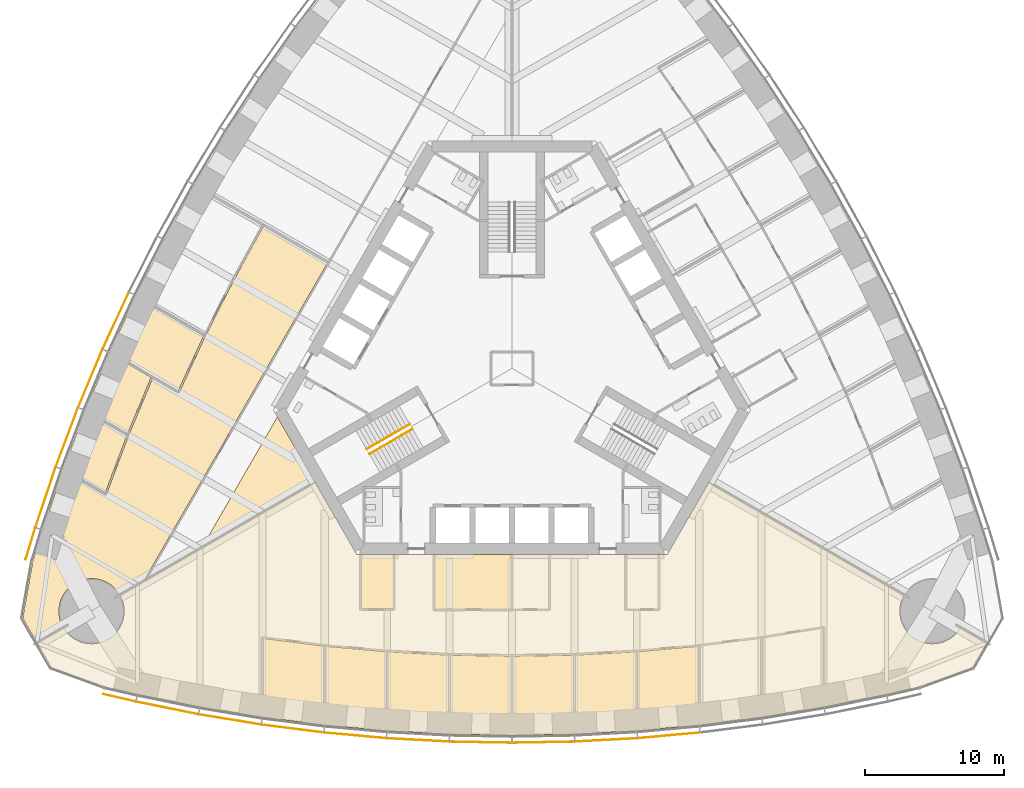
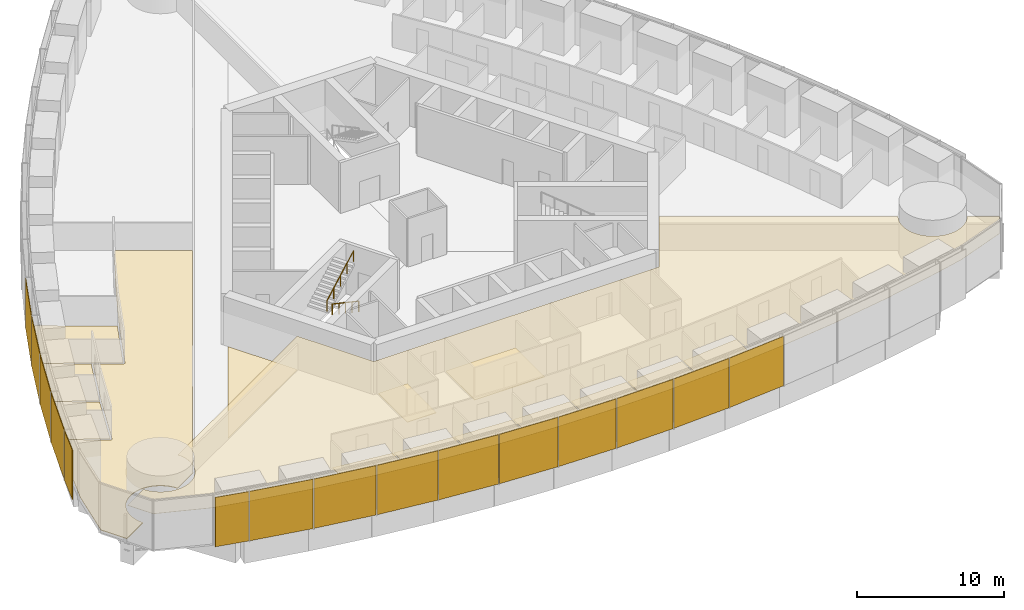
# One storey, part 16 of 20: 15 coverings, 15 shading devices, 2 railings.
"""IFC4 building model written with IfcOpenShell, lengths in metres."""

from ifc_helpers import new_model, si_unit, direction, frame, origin, origin_2d, place, context, subcontext, project, spatial, polyline, rectangle, circle, outline, extrude, material, layer, layer_set, type_object, element, save


model = new_model("IFC4")

# Units and contexts
model_context = context("Model", 3, precision=1e-05, world=origin(), true_north=direction((0.0, 1.0)))
body_context = subcontext(model_context, "Body", "Model", "MODEL_VIEW")
ifc_project = project(units=[si_unit("LENGTHUNIT", "METRE"), si_unit("AREAUNIT", "SQUARE_METRE"), si_unit("VOLUMEUNIT", "CUBIC_METRE"), si_unit("PLANEANGLEUNIT", "RADIAN"), si_unit("MASSUNIT", "GRAM", prefix="KILO")], contexts=[model_context])

# Site, building, storey
site_placement = place(None, origin())
site = spatial("IfcSite", under=ifc_project, at=site_placement, CompositionType="ELEMENT")
building_placement = place(site_placement, origin())
building = spatial("IfcBuilding", under=site, at=building_placement, Name="Trefoil Bronze Tower", CompositionType="ELEMENT")
storey_placement = place(building_placement, frame((0.0, 0.0, 103.10009765625)))
storey = spatial("IfcBuildingStorey", under=building, at=storey_placement, Name="L23", CompositionType="ELEMENT", Elevation=103.10009765625)

# Shading devices
ifc_material_1 = material(Name="Perforated bronze sheet", Category="bronze")
ifc_layer_1 = layer(ifc_material_1, 0.0400390625)
ifc_layer_set_1 = layer_set([ifc_layer_1], Name="Bronze solar screen panel")
shading_device_type = type_object("IfcShadingDeviceType", Name="Bronze solar screen panel", PredefinedType="SHUTTER", material=ifc_layer_set_1)
shading_device_1_placement = place(storey_placement, frame((-28.30078125, -23.748779296875, 0.0498046875), z_axis=(0.0, 0.0, 1.0), x_axis=(0.97420444715, -0.225667222151, 0.0)))
element("IfcShadingDevice", 1, at=shading_device_1_placement, inside=storey, type_object=shading_device_type, Name="Solar screen CW-A L23 F1 bay 1", PredefinedType="SHUTTER", context=body_context, shape_type="SweptSolid", body=[
    extrude(rectangle(XDim=2.39013671875, YDim=0.0400390625, at=origin_2d()), origin(), (0.0, 0.0, 1.0), 4.10009765625),
])
shading_device_2_placement = place(storey_placement, frame((-24.85693359375, -24.480224609375, 0.0498046875), z_axis=(0.0, 0.0, 1.0), x_axis=(0.980155155547, -0.198231861853, 0.0)))
element("IfcShadingDevice", 2, at=shading_device_2_placement, inside=storey, type_object=shading_device_type, Name="Solar screen CW-A L23 F1 bay 2", PredefinedType="SHUTTER", context=body_context, shape_type="SweptSolid", body=[
    extrude(rectangle(XDim=4.56103515625, YDim=0.0400390625, at=origin_2d()), origin(), (0.0, 0.0, 1.0), 4.10009765625),
])
shading_device_3_placement = place(storey_placement, frame((-20.337646484375, -25.30859375, 0.0498046875), z_axis=(0.0, 0.0, 1.0), x_axis=(0.986759655731, -0.162189339418, 0.0)))
element("IfcShadingDevice", 3, at=shading_device_3_placement, inside=storey, type_object=shading_device_type, Name="Solar screen CW-A L23 F1 bay 3", PredefinedType="SHUTTER", context=body_context, shape_type="SweptSolid", body=[
    extrude(rectangle(XDim=4.5302734375, YDim=0.0400390625, at=origin_2d()), origin(), (0.0, 0.0, 1.0), 4.10009765625),
])
shading_device_4_placement = place(storey_placement, frame((-15.818115234375, -25.96728515625, 0.0498046875), z_axis=(0.0, 0.0, 1.0), x_axis=(0.992011554286, -0.126147041833, 0.0)))
element("IfcShadingDevice", 4, at=shading_device_4_placement, inside=storey, type_object=shading_device_type, Name="Solar screen CW-A L23 F1 bay 4", PredefinedType="SHUTTER", context=body_context, shape_type="SweptSolid", body=[
    extrude(rectangle(XDim=4.50634765625, YDim=0.0400390625, at=origin_2d()), origin(), (0.0, 0.0, 1.0), 4.10009765625),
])
shading_device_5_placement = place(storey_placement, frame((-11.298583984375, -26.459228515625, 0.0498046875), z_axis=(0.0, 0.0, 1.0), x_axis=(0.995932279146, -0.090104913044, 0.0)))
element("IfcShadingDevice", 5, at=shading_device_5_placement, inside=storey, type_object=shading_device_type, Name="Solar screen CW-A L23 F1 bay 5", PredefinedType="SHUTTER", context=body_context, shape_type="SweptSolid", body=[
    extrude(rectangle(XDim=4.48828125, YDim=0.0400390625, at=origin_2d()), origin(), (0.0, 0.0, 1.0), 4.10009765625),
])
shading_device_6_placement = place(storey_placement, frame((-6.779296875, -26.785888671875, 0.0498046875), z_axis=(0.0, 0.0, 1.0), x_axis=(0.998537531923, -0.054062901701, 0.0)))
element("IfcShadingDevice", 6, at=shading_device_6_placement, inside=storey, type_object=shading_device_type, Name="Solar screen CW-A L23 F1 bay 6", PredefinedType="SHUTTER", context=body_context, shape_type="SweptSolid", body=[
    extrude(rectangle(XDim=4.4765625, YDim=0.0400390625, at=origin_2d()), origin(), (0.0, 0.0, 1.0), 4.10009765625),
])
for number, where, z_axis, x_axis, name in (
    (7, (-2.259765625, -26.948974609375, 0.0498046875), (0.0, 0.0, 1.0), (0.999837609322, -0.018020959612, 0.0), "Solar screen CW-A L23 F1 bay 7"),
    (8, (2.259765625, -26.948974609375, 0.0498046875), (0.0, 0.0, 1.0), (0.999837609322, 0.018020959612, 0.0), "Solar screen CW-A L23 F1 bay 8"),
):
    element("IfcShadingDevice", number, at=place(storey_placement, frame(where, z_axis=z_axis, x_axis=x_axis)), inside=storey, type_object=shading_device_type, Name=name, PredefinedType="SHUTTER", context=body_context, shape_type="SweptSolid", body=[
        extrude(rectangle(XDim=4.470703125, YDim=0.0400390625, at=origin_2d()), origin(), (0.0, 0.0, 1.0), 4.10009765625),
    ])
shading_device_7_placement = place(storey_placement, frame((6.779296875, -26.785888671875, 0.0498046875), z_axis=(0.0, 0.0, 1.0), x_axis=(0.998537531923, 0.054062901701, 0.0)))
element("IfcShadingDevice", 9, at=shading_device_7_placement, inside=storey, type_object=shading_device_type, Name="Solar screen CW-A L23 F1 bay 9", PredefinedType="SHUTTER", context=body_context, shape_type="SweptSolid", body=[
    extrude(rectangle(XDim=4.4765625, YDim=0.0400390625, at=origin_2d()), origin(), (0.0, 0.0, 1.0), 4.10009765625),
])
for number, where, z_axis, x_axis, name in (
    (10, (11.298583984375, -26.459228515625, 0.0498046875), (0.0, 0.0, 1.0), (0.995932279146, 0.090104913044, 0.0), "Solar screen CW-A L23 F1 bay 10"),
    (11, (-28.563720703125, 3.444580078125, 0.0498046875), (0.0, 0.0, 1.0), (-0.419932995871, -0.907555110712, 0.0), "Solar screen CW-A L23 F3 bay 10"),
):
    element("IfcShadingDevice", number, at=place(storey_placement, frame(where, z_axis=z_axis, x_axis=x_axis)), inside=storey, type_object=shading_device_type, Name=name, PredefinedType="SHUTTER", context=body_context, shape_type="SweptSolid", body=[
        extrude(rectangle(XDim=4.48828125, YDim=0.0400390625, at=origin_2d()), origin(), (0.0, 0.0, 1.0), 4.10009765625),
    ])
shading_device_8_placement = place(storey_placement, frame((-30.3974609375, -0.715087890625, 0.0498046875), z_axis=(0.0, 0.0, 1.0), x_axis=(-0.386759234303, -0.922180727776, 0.0)))
element("IfcShadingDevice", 12, at=shading_device_8_placement, inside=storey, type_object=shading_device_type, Name="Solar screen CW-A L23 F3 bay 11", PredefinedType="SHUTTER", context=body_context, shape_type="SweptSolid", body=[
    extrude(rectangle(XDim=4.50634765625, YDim=0.0400390625, at=origin_2d()), origin(), (0.0, 0.0, 1.0), 4.10009765625),
])
shading_device_9_placement = place(storey_placement, frame((-32.086669921875, -4.95849609375, 0.0498046875), z_axis=(0.0, 0.0, 1.0), x_axis=(-0.352919739707, -0.935653599002, 0.0)))
element("IfcShadingDevice", 13, at=shading_device_9_placement, inside=storey, type_object=shading_device_type, Name="Solar screen CW-A L23 F3 bay 12", PredefinedType="SHUTTER", context=body_context, shape_type="SweptSolid", body=[
    extrude(rectangle(XDim=4.5302734375, YDim=0.0400390625, at=origin_2d()), origin(), (0.0, 0.0, 1.0), 4.10009765625),
])
shading_device_10_placement = place(storey_placement, frame((-33.62890625, -9.286865234375, 0.0498046875), z_axis=(0.0, 0.0, 1.0), x_axis=(-0.318403749569, -0.947955195281, 0.0)))
element("IfcShadingDevice", 14, at=shading_device_10_placement, inside=storey, type_object=shading_device_type, Name="Solar screen CW-A L23 F3 bay 13", PredefinedType="SHUTTER", context=body_context, shape_type="SweptSolid", body=[
    extrude(rectangle(XDim=4.56103515625, YDim=0.0400390625, at=origin_2d()), origin(), (0.0, 0.0, 1.0), 4.10009765625),
])
shading_device_11_placement = place(storey_placement, frame((-34.717529296875, -12.634765625, 0.0498046875), z_axis=(0.0, 0.0, 1.0), x_axis=(-0.291668676391, -0.956519410787, 0.0)))
element("IfcShadingDevice", 15, at=shading_device_11_placement, inside=storey, type_object=shading_device_type, Name="Solar screen CW-A L23 F3 bay 14", PredefinedType="SHUTTER", context=body_context, shape_type="SweptSolid", body=[
    extrude(rectangle(XDim=2.39013671875, YDim=0.0400390625, at=origin_2d()), origin(), (0.0, 0.0, 1.0), 4.10009765625),
])

# Railings
ifc_material_2 = material(Name="Steel handrail", Category="steel")
railing_type = type_object("IfcRailingType", Name="Handrail 900", PredefinedType="HANDRAIL", material=ifc_material_2)
railing_1_placement = place(storey_placement, frame((-7.166015625, -4.3681640625, 0.161376953125)))
element("IfcRailing", 16, at=railing_1_placement, inside=storey, type_object=railing_type, Name="Handrail ST3 flight 1 L23", PredefinedType="HANDRAIL", context=body_context, shape_type="SweptSolid", body=[
    extrude(circle(Radius=0.02392578125, at=origin_2d()), frame((0.0, 0.0, 0.8759765625), z_axis=(-0.76250339821, -0.440245697338, 0.474101564745), x_axis=(0.500012057535, -0.866018442252, 0.0)), (0.0, 0.0, 1.0), 4.088623046875),
    extrude(circle(Radius=0.02099609375, at=origin_2d()), origin(), (0.0, 0.0, 1.0), 0.851806640625),
    extrude(circle(Radius=0.02099609375, at=origin_2d()), frame((-0.779296875, -0.449951171875, 0.484619140625)), (0.0, 0.0, 1.0), 0.851806640625),
    extrude(circle(Radius=0.02099609375, at=origin_2d()), frame((-1.558837890625, -0.89990234375, 0.96923828125)), (0.0, 0.0, 1.0), 0.851806640625),
    extrude(circle(Radius=0.02099609375, at=origin_2d()), frame((-2.33837890625, -1.35009765625, 1.453857421875)), (0.0, 0.0, 1.0), 0.851806640625),
    extrude(circle(Radius=0.02099609375, at=origin_2d()), frame((-3.11767578125, -1.800048828125, 1.9384765625)), (0.0, 0.0, 1.0), 0.851806640625),
])
railing_2_placement = place(storey_placement, frame((-10.483642578125, -5.82177734375, 2.261474609375)))
element("IfcRailing", 17, at=railing_2_placement, inside=storey, type_object=railing_type, Name="Handrail ST3 flight 2 L23", PredefinedType="HANDRAIL", context=body_context, shape_type="SweptSolid", body=[
    extrude(circle(Radius=0.02392578125, at=origin_2d()), frame((0.0, 0.0, 0.8759765625), z_axis=(0.76250339821, 0.440245697338, 0.474101564745), x_axis=(-0.500012057535, 0.866018442252, 0.0)), (0.0, 0.0, 1.0), 4.088623046875),
    extrude(circle(Radius=0.02099609375, at=origin_2d()), origin(), (0.0, 0.0, 1.0), 0.851806640625),
    extrude(circle(Radius=0.02099609375, at=origin_2d()), frame((0.779296875, 0.449951171875, 0.484619140625)), (0.0, 0.0, 1.0), 0.851806640625),
    extrude(circle(Radius=0.02099609375, at=origin_2d()), frame((1.558837890625, 0.89990234375, 0.96923828125)), (0.0, 0.0, 1.0), 0.851806640625),
    extrude(circle(Radius=0.02099609375, at=origin_2d()), frame((2.33837890625, 1.35009765625, 1.453857421875)), (0.0, 0.0, 1.0), 0.851806640625),
    extrude(circle(Radius=0.02099609375, at=origin_2d()), frame((3.11767578125, 1.800048828125, 1.9384765625)), (0.0, 0.0, 1.0), 0.851806640625),
])

# Coverings
ifc_material_3 = material(Name="Acoustic ceiling panels", Category="mineral fibre")
ifc_layer_2 = layer(ifc_material_3, 0.02001953125)
ifc_layer_set_2 = layer_set([ifc_layer_2], Name="Office ceiling 20")
covering_type_1 = type_object("IfcCoveringType", Name="Office ceiling 20", PredefinedType="CEILING", material=ifc_layer_set_2)
covering_1_placement = place(storey_placement, frame((0.0, 0.0, 2.89990234375)))
element("IfcCovering", 18, at=covering_1_placement, inside=storey, type_object=covering_type_1, Name="Ceiling L23 Secretarial area F1", PredefinedType="CEILING", context=body_context, shape_type="SweptSolid", body=[
    extrude(outline(polyline([(-32.264892578125, -18.8056640625), (-32.198486328125, -18.89990234375), (-32.12744140625, -18.99072265625), (-32.052001953125, -19.078125), (-31.97265625, -19.16162109375), (-31.88916015625, -19.2412109375), (-31.8017578125, -19.316650390625), (-31.710693359375, -19.387451171875), (-31.616455078125, -19.4541015625), (-31.51904296875, -19.515625), (-31.418701171875, -19.572509765625), (-31.315673828125, -19.62451171875), (-31.210205078125, -19.671142578125), (-31.1025390625, -19.712646484375), (-30.9931640625, -19.748779296875), (-30.8818359375, -19.779541015625), (-30.769287109375, -19.8046875), (-30.65576171875, -19.82470703125), (-30.541259765625, -19.838623046875), (-30.42626953125, -19.84716796875), (-30.310791015625, -19.85009765625), (-30.195556640625, -19.84716796875), (-30.08056640625, -19.838623046875), (-29.966064453125, -19.82470703125), (-29.852294921875, -19.8046875), (-29.739990234375, -19.779541015625), (-29.628662109375, -19.748779296875), (-29.519287109375, -19.712646484375), (-29.41162109375, -19.671142578125), (-29.30615234375, -19.62451171875), (-29.203125, -19.572509765625), (-29.102783203125, -19.515625), (-29.00537109375, -19.4541015625), (-28.910888671875, -19.387451171875), (-28.820068359375, -19.316650390625), (-28.732666015625, -19.2412109375), (-28.649169921875, -19.16162109375), (-28.569580078125, -19.078125), (-28.494384765625, -18.99072265625), (-28.42333984375, -18.89990234375), (-28.35693359375, -18.8056640625), (-28.295166015625, -18.7080078125), (-28.23828125, -18.60791015625), (-28.1865234375, -18.5048828125), (-28.139892578125, -18.3994140625), (-28.098388671875, -18.291748046875), (-28.06201171875, -18.18212890625), (-28.03125, -18.071044921875), (-28.006103515625, -17.95849609375), (-27.986328125, -17.8447265625), (-27.97216796875, -17.730224609375), (-27.963623046875, -17.615234375), (-27.9609375, -17.5), (-27.963623046875, -17.384765625), (-27.97216796875, -17.269775390625), (-27.986328125, -17.1552734375), (-28.006103515625, -17.04150390625), (-28.03125, -16.928955078125), (-28.06201171875, -16.81787109375), (-28.098388671875, -16.708251953125), (-28.139892578125, -16.6005859375), (-28.1865234375, -16.4951171875), (-28.23828125, -16.39208984375), (-28.270263671875, -16.3359375), (-14.19970703125, -8.205322265625), (-11.20068359375, -13.39990234375), (11.20068359375, -13.39990234375), (14.19970703125, -8.205322265625), (28.270263671875, -16.3359375), (28.23828125, -16.39208984375), (28.1865234375, -16.4951171875), (28.139892578125, -16.6005859375), (28.098388671875, -16.708251953125), (28.06201171875, -16.81787109375), (28.03125, -16.928955078125), (28.006103515625, -17.04150390625), (27.986328125, -17.1552734375), (27.97216796875, -17.269775390625), (27.963623046875, -17.384765625), (27.9609375, -17.5), (27.963623046875, -17.615234375), (27.97216796875, -17.730224609375), (27.986328125, -17.8447265625), (28.006103515625, -17.95849609375), (28.03125, -18.071044921875), (28.06201171875, -18.18212890625), (28.098388671875, -18.291748046875), (28.139892578125, -18.3994140625), (28.1865234375, -18.5048828125), (28.23828125, -18.60791015625), (28.295166015625, -18.7080078125), (28.35693359375, -18.8056640625), (28.42333984375, -18.89990234375), (28.494384765625, -18.99072265625), (28.569580078125, -19.078125), (28.649169921875, -19.16162109375), (28.732666015625, -19.2412109375), (28.820068359375, -19.316650390625), (28.910888671875, -19.387451171875), (29.00537109375, -19.4541015625), (29.102783203125, -19.515625), (29.203125, -19.572509765625), (29.30615234375, -19.62451171875), (29.41162109375, -19.671142578125), (29.519287109375, -19.712646484375), (29.628662109375, -19.748779296875), (29.739990234375, -19.779541015625), (29.852294921875, -19.8046875), (29.966064453125, -19.82470703125), (30.08056640625, -19.838623046875), (30.195556640625, -19.84716796875), (30.310791015625, -19.85009765625), (30.42626953125, -19.84716796875), (30.541259765625, -19.838623046875), (30.65576171875, -19.82470703125), (30.769287109375, -19.8046875), (30.8818359375, -19.779541015625), (30.9931640625, -19.748779296875), (31.1025390625, -19.712646484375), (31.210205078125, -19.671142578125), (31.315673828125, -19.62451171875), (31.418701171875, -19.572509765625), (31.51904296875, -19.515625), (31.616455078125, -19.4541015625), (31.710693359375, -19.387451171875), (31.8017578125, -19.316650390625), (31.88916015625, -19.2412109375), (31.97265625, -19.16162109375), (32.052001953125, -19.078125), (32.12744140625, -18.99072265625), (32.198486328125, -18.89990234375), (32.264892578125, -18.8056640625), (32.338623046875, -18.68701171875), (34.233154296875, -19.781494140625), (33.21435546875, -21.5458984375), (29.357666015625, -22.94970703125), (27.0, -23.495849609375), (22.5, -24.406005859375), (18.0, -25.1455078125), (13.5, -25.7177734375), (9.0, -26.125), (4.5, -26.36865234375), (0.0, -26.44970703125), (-4.5, -26.36865234375), (-9.0, -26.125), (-13.5, -25.7177734375), (-18.0, -25.1455078125), (-22.5, -24.406005859375), (-27.0, -23.495849609375), (-29.357666015625, -22.94970703125), (-33.21435546875, -21.5458984375), (-34.233154296875, -19.781494140625), (-32.338623046875, -18.68701171875), (-32.264892578125, -18.8056640625)])), origin(), (0.0, 0.0, 1.0), 0.02001953125),
])
ifc_material_4 = material(Name="Raised access floor panels", Category="steel")
ifc_layer_3 = layer(ifc_material_4, 0.050048828125)
ifc_layer_set_3 = layer_set([ifc_layer_3], Name="Raised access floor 150")
covering_type_2 = type_object("IfcCoveringType", Name="Raised access floor 150", PredefinedType="FLOORING", material=ifc_layer_set_3)
covering_2_placement = place(storey_placement, frame((0.0, 0.0, 0.099853515625)))
element("IfcCovering", 19, at=covering_2_placement, inside=storey, type_object=covering_type_2, Name="Raised floor L23 Meeting room F1", PredefinedType="FLOORING", context=body_context, shape_type="SweptSolid", body=[
    extrude(outline(polyline([(-0.06005859375, -13.39990234375), (-0.06005859375, -17.340087890625), (-5.5400390625, -17.340087890625), (-5.5400390625, -13.39990234375), (-0.06005859375, -13.39990234375)])), origin(), (0.0, 0.0, 1.0), 0.050048828125),
])
covering_3_placement = place(storey_placement, frame((0.0, 0.0, 0.099853515625)))
element("IfcCovering", 20, at=covering_3_placement, inside=storey, type_object=covering_type_2, Name="Raised floor L23 Team room F1", PredefinedType="FLOORING", context=body_context, shape_type="SweptSolid", body=[
    extrude(outline(polyline([(-8.56005859375, -13.39990234375), (-8.56005859375, -17.340087890625), (-10.840087890625, -17.340087890625), (-10.840087890625, -13.39990234375), (-8.56005859375, -13.39990234375)])), origin(), (0.0, 0.0, 1.0), 0.050048828125),
])
covering_4_placement = place(storey_placement, frame((0.0, 0.0, 0.099853515625)))
element("IfcCovering", 21, at=covering_4_placement, inside=storey, type_object=covering_type_2, Name="Raised floor L23 Office F1", PredefinedType="FLOORING", context=body_context, shape_type="SweptSolid", body=[
    extrude(outline(polyline([(-13.5, -25.7177734375), (-18.0, -25.1455078125), (-18.0, -23.49853515625), (-17.93994140625, -23.49853515625), (-17.93994140625, -19.463623046875), (-13.56005859375, -20.020751953125), (-13.56005859375, -24.078125), (-13.5, -24.078125), (-13.5, -25.7177734375)])), origin(), (0.0, 0.0, 1.0), 0.050048828125),
])
covering_5_placement = place(storey_placement, frame((0.0, 0.0, 0.099853515625)))
element("IfcCovering", 22, at=covering_5_placement, inside=storey, type_object=covering_type_2, Name="Raised floor L23 Office F1", PredefinedType="FLOORING", context=body_context, shape_type="SweptSolid", body=[
    extrude(outline(polyline([(-9.0, -26.125), (-13.5, -25.7177734375), (-13.5, -24.078125), (-13.43994140625, -24.078125), (-13.43994140625, -20.033447265625), (-9.06005859375, -20.4296875), (-9.06005859375, -24.49072265625), (-9.0, -24.49072265625), (-9.0, -26.125)])), origin(), (0.0, 0.0, 1.0), 0.050048828125),
])
covering_6_placement = place(storey_placement, frame((0.0, 0.0, 0.099853515625)))
element("IfcCovering", 23, at=covering_6_placement, inside=storey, type_object=covering_type_2, Name="Raised floor L23 Office F1", PredefinedType="FLOORING", context=body_context, shape_type="SweptSolid", body=[
    extrude(outline(polyline([(-4.5, -26.36865234375), (-9.0, -26.125), (-9.0, -24.49072265625), (-8.93994140625, -24.49072265625), (-8.93994140625, -20.438232421875), (-4.56005859375, -20.67529296875), (-4.56005859375, -24.737548828125), (-4.5, -24.737548828125), (-4.5, -26.36865234375)])), origin(), (0.0, 0.0, 1.0), 0.050048828125),
])
covering_7_placement = place(storey_placement, frame((0.0, 0.0, 0.099853515625)))
element("IfcCovering", 24, at=covering_7_placement, inside=storey, type_object=covering_type_2, Name="Raised floor L23 Office F1", PredefinedType="FLOORING", context=body_context, shape_type="SweptSolid", body=[
    extrude(outline(polyline([(0.0, -26.44970703125), (-4.5, -26.36865234375), (-4.5, -24.737548828125), (-4.43994140625, -24.737548828125), (-4.43994140625, -20.6796875), (-0.06005859375, -20.758544921875), (-0.06005859375, -24.819580078125), (0.0, -24.819580078125), (0.0, -26.44970703125)])), origin(), (0.0, 0.0, 1.0), 0.050048828125),
])
covering_8_placement = place(storey_placement, frame((0.0, 0.0, 0.099853515625)))
element("IfcCovering", 25, at=covering_8_placement, inside=storey, type_object=covering_type_2, Name="Raised floor L23 Office F1", PredefinedType="FLOORING", context=body_context, shape_type="SweptSolid", body=[
    extrude(outline(polyline([(4.5, -26.36865234375), (0.0, -26.44970703125), (0.0, -24.819580078125), (0.06005859375, -24.819580078125), (0.06005859375, -20.758544921875), (4.43994140625, -20.6796875), (4.43994140625, -24.737548828125), (4.5, -24.737548828125), (4.5, -26.36865234375)])), origin(), (0.0, 0.0, 1.0), 0.050048828125),
])
covering_9_placement = place(storey_placement, frame((0.0, 0.0, 0.099853515625)))
element("IfcCovering", 26, at=covering_9_placement, inside=storey, type_object=covering_type_2, Name="Raised floor L23 Office F1", PredefinedType="FLOORING", context=body_context, shape_type="SweptSolid", body=[
    extrude(outline(polyline([(9.0, -26.125), (4.5, -26.36865234375), (4.5, -24.737548828125), (4.56005859375, -24.737548828125), (4.56005859375, -20.67529296875), (8.93994140625, -20.438232421875), (8.93994140625, -24.49072265625), (9.0, -24.49072265625), (9.0, -26.125)])), origin(), (0.0, 0.0, 1.0), 0.050048828125),
])
covering_10_placement = place(storey_placement, frame((0.0, 0.0, 0.099853515625)))
element("IfcCovering", 27, at=covering_10_placement, inside=storey, type_object=covering_type_2, Name="Raised floor L23 Office F1", PredefinedType="FLOORING", context=body_context, shape_type="SweptSolid", body=[
    extrude(outline(polyline([(13.5, -25.7177734375), (9.0, -26.125), (9.0, -24.49072265625), (9.06005859375, -24.49072265625), (9.06005859375, -20.4296875), (13.43994140625, -20.033447265625), (13.43994140625, -24.078125), (13.5, -24.078125), (13.5, -25.7177734375)])), origin(), (0.0, 0.0, 1.0), 0.050048828125),
])
covering_11_placement = place(storey_placement, frame((0.0, 0.0, 0.099853515625)))
element("IfcCovering", 28, at=covering_11_placement, inside=storey, type_object=covering_type_2, Name="Raised floor L23 Meeting room F3", PredefinedType="FLOORING", context=body_context, shape_type="SweptSolid", body=[
    extrude(outline(polyline([(-29.022216796875, 1.16748046875), (-27.124755859375, 5.268310546875), (-25.709716796875, 4.451171875), (-25.739501953125, 4.399169921875), (-22.22265625, 2.36865234375), (-24.069580078125, -1.62255859375), (-27.572509765625, 0.399658203125), (-27.602294921875, 0.347900390625), (-29.022216796875, 1.16748046875)])), origin(), (0.0, 0.0, 1.0), 0.050048828125),
])
covering_12_placement = place(storey_placement, frame((0.0, 0.0, 0.099853515625)))
element("IfcCovering", 29, at=covering_12_placement, inside=storey, type_object=covering_type_2, Name="Raised floor L23 Print and store room F3", PredefinedType="FLOORING", context=body_context, shape_type="SweptSolid", body=[
    extrude(outline(polyline([(-30.776611328125, -3.015625), (-29.022216796875, 1.16748046875), (-27.602294921875, 0.347900390625), (-27.63232421875, 0.2958984375), (-26.0107421875, -0.640380859375), (-27.71826171875, -4.712158203125), (-29.3203125, -3.787353515625), (-29.350341796875, -3.839111328125), (-30.776611328125, -3.015625)])), origin(), (0.0, 0.0, 1.0), 0.050048828125),
])
covering_13_placement = place(storey_placement, frame((0.0, 0.0, 0.099853515625)))
element("IfcCovering", 30, at=covering_13_placement, inside=storey, type_object=covering_type_2, Name="Raised floor L23 Comms room F3", PredefinedType="FLOORING", context=body_context, shape_type="SweptSolid", body=[
    extrude(outline(polyline([(-32.385986328125, -7.28271484375), (-30.776611328125, -3.015625), (-29.350341796875, -3.839111328125), (-29.38037109375, -3.89111328125), (-27.763427734375, -4.82470703125), (-29.330078125, -8.977783203125), (-30.921142578125, -8.05908203125), (-30.951171875, -8.111083984375), (-32.385986328125, -7.28271484375)])), origin(), (0.0, 0.0, 1.0), 0.050048828125),
])
covering_14_placement = place(storey_placement, frame((0.0, 0.0, 0.099853515625)))
element("IfcCovering", 31, at=covering_14_placement, inside=storey, type_object=covering_type_2, Name="Raised floor L23 Secretarial area F3", PredefinedType="FLOORING", context=body_context, shape_type="SweptSolid", body=[
    extrude(outline(polyline([(-34.247802734375, -19.755859375), (-35.2666015625, -17.99169921875), (-34.5537109375, -13.94970703125), (-33.847900390625, -11.634765625), (-32.385986328125, -7.28271484375), (-30.951171875, -8.111083984375), (-30.981201171875, -8.1630859375), (-29.328857421875, -9.1171875), (-29.298828125, -9.065185546875), (-29.24267578125, -9.086181640625), (-27.633544921875, -4.8203125), (-25.906005859375, -0.700927734375), (-24.072509765625, -1.759521484375), (-24.04248046875, -1.70751953125), (-23.98828125, -1.732666015625), (-22.09130859375, 2.3671875), (-20.58544921875, 5.334716796875), (-19.484130859375, 7.412109375), (-17.910888671875, 10.254150390625), (-13.304931640625, 7.594970703125), (-26.466552734375, -15.201416015625), (-26.40966796875, -15.234375), (-28.2822265625, -16.314697265625), (-28.295166015625, -16.2919921875), (-28.35693359375, -16.1943359375), (-28.42333984375, -16.10009765625), (-28.494384765625, -16.00927734375), (-28.569580078125, -15.921875), (-28.649169921875, -15.83837890625), (-28.732666015625, -15.7587890625), (-28.820068359375, -15.683349609375), (-28.910888671875, -15.612548828125), (-29.00537109375, -15.5458984375), (-29.102783203125, -15.484375), (-29.203125, -15.427490234375), (-29.30615234375, -15.37548828125), (-29.41162109375, -15.328857421875), (-29.519287109375, -15.287353515625), (-29.628662109375, -15.251220703125), (-29.739990234375, -15.220458984375), (-29.852294921875, -15.1953125), (-29.966064453125, -15.17529296875), (-30.08056640625, -15.161376953125), (-30.195556640625, -15.15283203125), (-30.310791015625, -15.14990234375), (-30.42626953125, -15.15283203125), (-30.541259765625, -15.161376953125), (-30.65576171875, -15.17529296875), (-30.769287109375, -15.1953125), (-30.8818359375, -15.220458984375), (-30.9931640625, -15.251220703125), (-31.1025390625, -15.287353515625), (-31.210205078125, -15.328857421875), (-31.315673828125, -15.37548828125), (-31.418701171875, -15.427490234375), (-31.51904296875, -15.484375), (-31.616455078125, -15.5458984375), (-31.710693359375, -15.612548828125), (-31.8017578125, -15.683349609375), (-31.88916015625, -15.7587890625), (-31.97265625, -15.83837890625), (-32.052001953125, -15.921875), (-32.12744140625, -16.00927734375), (-32.198486328125, -16.10009765625), (-32.264892578125, -16.1943359375), (-32.32666015625, -16.2919921875), (-32.38330078125, -16.39208984375), (-32.435302734375, -16.4951171875), (-32.48193359375, -16.6005859375), (-32.5234375, -16.708251953125), (-32.559814453125, -16.81787109375), (-32.590576171875, -16.928955078125), (-32.61572265625, -17.04150390625), (-32.635498046875, -17.1552734375), (-32.649658203125, -17.269775390625), (-32.658203125, -17.384765625), (-32.660888671875, -17.5), (-32.658203125, -17.615234375), (-32.649658203125, -17.730224609375), (-32.635498046875, -17.8447265625), (-32.61572265625, -17.95849609375), (-32.590576171875, -18.071044921875), (-32.559814453125, -18.18212890625), (-32.5234375, -18.291748046875), (-32.48193359375, -18.3994140625), (-32.435302734375, -18.5048828125), (-32.38330078125, -18.60791015625), (-32.352294921875, -18.66259765625), (-34.247802734375, -19.755859375)])), origin(), (0.0, 0.0, 1.0), 0.050048828125),
])
covering_15_placement = place(storey_placement, frame((0.0, 0.0, 0.099853515625)))
element("IfcCovering", 32, at=covering_15_placement, inside=storey, type_object=covering_type_2, Name="Raised floor L23 Secretarial area F3", PredefinedType="FLOORING", context=body_context, shape_type="SweptSolid", body=[
    extrude(outline(polyline([(-14.205810546875, -8.194580078125), (-22.333740234375, -12.88330078125), (-16.91650390625, -3.5), (-14.205810546875, -8.194580078125)])), origin(), (0.0, 0.0, 1.0), 0.050048828125),
])

save(model, "model.ifc")
